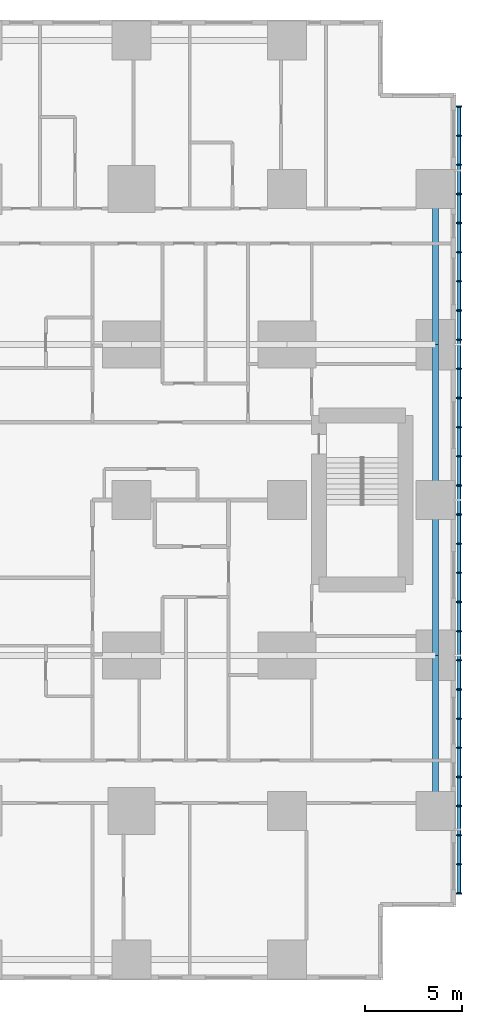
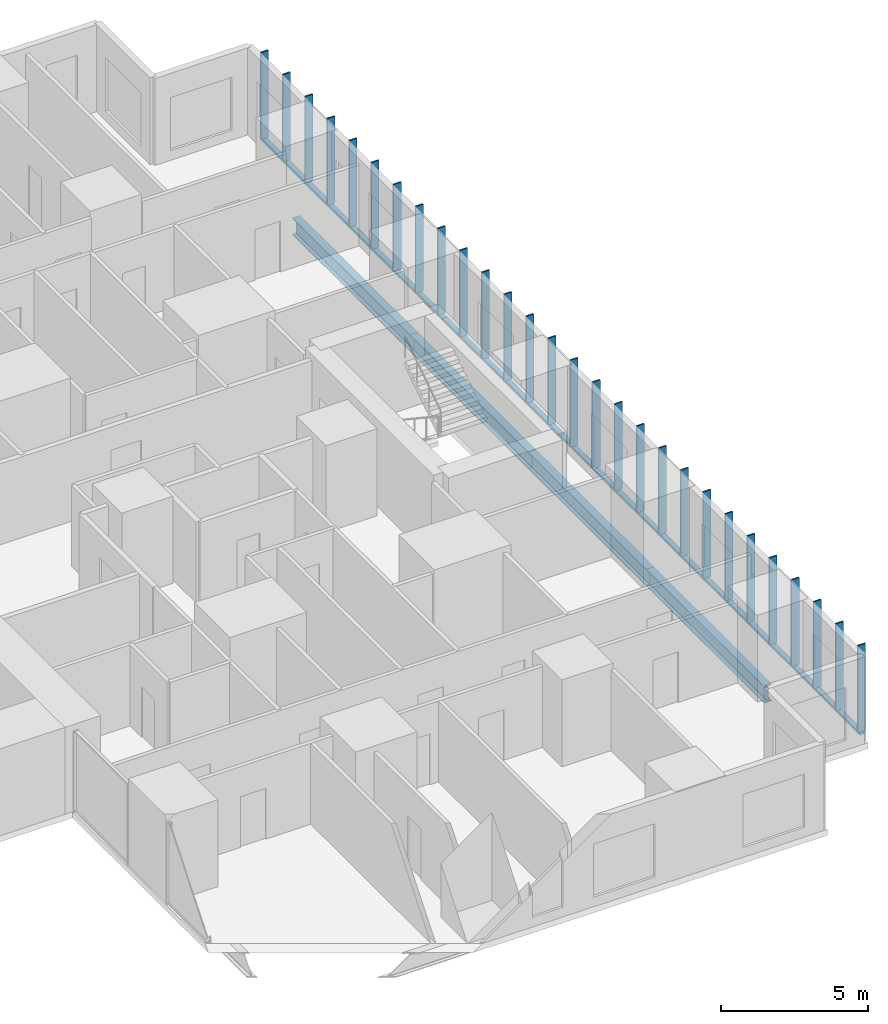
# One storey, part 6 of 20: 32 members, 4 beams.
"""IFC4 building model written with IfcOpenShell, lengths in metres."""

from ifc_helpers import new_model, si_unit, direction, frame, origin, origin_2d, place, context, subcontext, project, spatial, rectangle, hollow_rectangle, i_section, extrude, material, material_profile, profile_set, type_object, element, save


model = new_model("IFC4")

# Units and contexts
model_context = context("Model", 3, precision=1e-05, world=origin(), true_north=direction((0.0, 1.0)))
body_context = subcontext(model_context, "Body", "Model", "MODEL_VIEW")
ifc_project = project(units=[si_unit("LENGTHUNIT", "METRE"), si_unit("AREAUNIT", "SQUARE_METRE"), si_unit("VOLUMEUNIT", "CUBIC_METRE"), si_unit("PLANEANGLEUNIT", "RADIAN"), si_unit("MASSUNIT", "GRAM", prefix="KILO")], contexts=[model_context])

# Site, building, storey
site_placement = place(None, origin())
site = spatial("IfcSite", under=ifc_project, at=site_placement, CompositionType="ELEMENT")
building_placement = place(site_placement, origin())
building = spatial("IfcBuilding", under=site, at=building_placement, Name="Cleftline Residences", CompositionType="ELEMENT")
storey_placement = place(building_placement, frame((0.0, 0.0, 150.199951171875)))
storey = spatial("IfcBuildingStorey", under=building, at=storey_placement, Name="L39", CompositionType="ELEMENT", Elevation=150.199951171875)

# Members
ifc_material_1 = material(Name="Steel S355, hot-dip galvanised", Category="steel")
ifc_material_profile_1 = material_profile(ifc_material_1, hollow_rectangle(XDim=0.10009765625, YDim=0.199951171875, WallThickness=0.008056640625, InnerFilletRadius=0.008056640625, OuterFilletRadius=0.011962890625, at=origin_2d()))
ifc_profile_set_1 = profile_set([ifc_material_profile_1], Name="Steel S355, hot-dip galvanised")
member_type_1 = type_object("IfcMemberType", Name="BAGUETTE CARRIER RHS 200X100X8", PredefinedType="USERDEFINED", material=ifc_profile_set_1)
member_1_placement = place(storey_placement, frame((66.85009765625, 3.699951171875, -0.050048828125), z_axis=(0.0, 1.0, 0.0), x_axis=(0.0, 0.0, 1.0)))
element("IfcMember", 1, at=member_1_placement, inside=storey, type_object=member_type_1, Name="Baguette carrier", ObjectType="BAGUETTE CARRIER", PredefinedType="USERDEFINED", context=body_context, shape_type="SweptSolid", body=[
    extrude(hollow_rectangle(XDim=0.10009765625, YDim=0.199951171875, WallThickness=0.008056640625, InnerFilletRadius=0.008056640625, OuterFilletRadius=0.011962890625, at=origin_2d()), origin(), (0.0, 0.0, 1.0), 12.300048828125),
])
for number, where, z_axis, x_axis, name in (
    (2, (66.85009765625, 16.0, -0.050048828125), (0.0, 1.0, 0.0), (0.0, 0.0, 1.0), "Baguette carrier"),
    (3, (66.85009765625, 24.0, -0.050048828125), (0.0, 1.0, 0.0), (0.0, 0.0, 1.0), "Baguette carrier"),
):
    element("IfcMember", number, at=place(storey_placement, frame(where, z_axis=z_axis, x_axis=x_axis)), inside=storey, type_object=member_type_1, Name=name, ObjectType="BAGUETTE CARRIER", PredefinedType="USERDEFINED", context=body_context, shape_type="SweptSolid", body=[
        extrude(hollow_rectangle(XDim=0.10009765625, YDim=0.199951171875, WallThickness=0.008056640625, InnerFilletRadius=0.008056640625, OuterFilletRadius=0.011962890625, at=origin_2d()), origin(), (0.0, 0.0, 1.0), 8.0),
    ])
member_2_placement = place(storey_placement, frame((66.85009765625, 32.0, -0.050048828125), z_axis=(0.0, 1.0, 0.0), x_axis=(0.0, 0.0, 1.0)))
element("IfcMember", 4, at=member_2_placement, inside=storey, type_object=member_type_1, Name="Baguette carrier", ObjectType="BAGUETTE CARRIER", PredefinedType="USERDEFINED", context=body_context, shape_type="SweptSolid", body=[
    extrude(hollow_rectangle(XDim=0.10009765625, YDim=0.199951171875, WallThickness=0.008056640625, InnerFilletRadius=0.008056640625, OuterFilletRadius=0.011962890625, at=origin_2d()), origin(), (0.0, 0.0, 1.0), 12.300048828125),
])

# Beams
ifc_material_2 = material(Name="Steel S355", Category="steel")
ifc_material_profile_2 = material_profile(ifc_material_2, i_section(OverallWidth=0.300048828125, OverallDepth=0.699951171875, WebThickness=0.01708984375, FlangeThickness=0.031982421875, FilletRadius=0.027099609375, at=origin_2d()))
ifc_profile_set_2 = profile_set([ifc_material_profile_2], Name="Steel S355")
beam_type = type_object("IfcBeamType", Name="BEAM HEB 700", PredefinedType="BEAM", material=ifc_profile_set_2)
for number, where, z_axis, x_axis, name in (
    (5, (65.64990234375, 8.0, -0.599853515625), (0.0, 1.0, 0.0), (-1.0, 0.0, 0.0), "Edge beam"),
    (6, (65.64990234375, 16.0, -0.599853515625), (0.0, 1.0, 0.0), (-1.0, 0.0, 0.0), "Edge beam"),
    (7, (65.64990234375, 24.0, -0.599853515625), (0.0, 1.0, 0.0), (-1.0, 0.0, 0.0), "Edge beam"),
    (8, (65.64990234375, 32.0, -0.599853515625), (0.0, 1.0, 0.0), (-1.0, 0.0, 0.0), "Edge beam"),
):
    element("IfcBeam", number, at=place(storey_placement, frame(where, z_axis=z_axis, x_axis=x_axis)), inside=storey, type_object=beam_type, Name=name, PredefinedType="BEAM", context=body_context, shape_type="SweptSolid", body=[
        extrude(i_section(OverallWidth=0.300048828125, OverallDepth=0.699951171875, WebThickness=0.01708984375, FlangeThickness=0.031982421875, FilletRadius=0.027099609375, at=origin_2d()), origin(), (0.0, 0.0, 1.0), 8.0),
    ])

# Members
ifc_material_3 = material(Name="Extruded terracotta", Category="masonry")
ifc_material_profile_3 = material_profile(ifc_material_3, rectangle(XDim=0.06005859375, YDim=0.300048828125, at=origin_2d()))
ifc_profile_set_3 = profile_set([ifc_material_profile_3], Name="Extruded terracotta")
member_type_2 = type_object("IfcMemberType", Name="TERRACOTTA BAGUETTE 60X300", PredefinedType="USERDEFINED", material=ifc_profile_set_3)
for number, where, z_axis, x_axis, name in (
    (9, (66.85009765625, 3.75, 0.0), (0.0, 0.0, 1.0), (0.0, 1.0, 0.0), "Terracotta baguette"),
    (10, (66.85009765625, 5.25, 0.0), (0.0, 0.0, 1.0), (0.0, 1.0, 0.0), "Terracotta baguette"),
    (11, (66.85009765625, 6.75, 0.0), (0.0, 0.0, 1.0), (0.0, 1.0, 0.0), "Terracotta baguette"),
    (12, (66.85009765625, 8.25, 0.0), (0.0, 0.0, 1.0), (0.0, 1.0, 0.0), "Terracotta baguette"),
    (13, (66.85009765625, 9.75, 0.0), (0.0, 0.0, 1.0), (0.0, 1.0, 0.0), "Terracotta baguette"),
    (14, (66.85009765625, 11.25, 0.0), (0.0, 0.0, 1.0), (0.0, 1.0, 0.0), "Terracotta baguette"),
    (15, (66.85009765625, 12.75, 0.0), (0.0, 0.0, 1.0), (0.0, 1.0, 0.0), "Terracotta baguette"),
    (16, (66.85009765625, 14.25, 0.0), (0.0, 0.0, 1.0), (0.0, 1.0, 0.0), "Terracotta baguette"),
    (17, (66.85009765625, 15.75, 0.0), (0.0, 0.0, 1.0), (0.0, 1.0, 0.0), "Terracotta baguette"),
    (18, (66.85009765625, 17.25, 0.0), (0.0, 0.0, 1.0), (0.0, 1.0, 0.0), "Terracotta baguette"),
    (19, (66.85009765625, 18.75, 0.0), (0.0, 0.0, 1.0), (0.0, 1.0, 0.0), "Terracotta baguette"),
    (20, (66.85009765625, 20.25, 0.0), (0.0, 0.0, 1.0), (0.0, 1.0, 0.0), "Terracotta baguette"),
    (21, (66.85009765625, 21.75, 0.0), (0.0, 0.0, 1.0), (0.0, 1.0, 0.0), "Terracotta baguette"),
    (22, (66.85009765625, 23.25, 0.0), (0.0, 0.0, 1.0), (0.0, 1.0, 0.0), "Terracotta baguette"),
    (23, (66.85009765625, 24.75, 0.0), (0.0, 0.0, 1.0), (0.0, 1.0, 0.0), "Terracotta baguette"),
    (24, (66.85009765625, 26.25, 0.0), (0.0, 0.0, 1.0), (0.0, 1.0, 0.0), "Terracotta baguette"),
    (25, (66.85009765625, 27.75, 0.0), (0.0, 0.0, 1.0), (0.0, 1.0, 0.0), "Terracotta baguette"),
    (26, (66.85009765625, 29.25, 0.0), (0.0, 0.0, 1.0), (0.0, 1.0, 0.0), "Terracotta baguette"),
    (27, (66.85009765625, 30.75, 0.0), (0.0, 0.0, 1.0), (0.0, 1.0, 0.0), "Terracotta baguette"),
    (28, (66.85009765625, 32.25, 0.0), (0.0, 0.0, 1.0), (0.0, 1.0, 0.0), "Terracotta baguette"),
    (29, (66.85009765625, 33.75, 0.0), (0.0, 0.0, 1.0), (0.0, 1.0, 0.0), "Terracotta baguette"),
    (30, (66.85009765625, 35.25, 0.0), (0.0, 0.0, 1.0), (0.0, 1.0, 0.0), "Terracotta baguette"),
    (31, (66.85009765625, 36.75, 0.0), (0.0, 0.0, 1.0), (0.0, 1.0, 0.0), "Terracotta baguette"),
    (32, (66.85009765625, 38.25, 0.0), (0.0, 0.0, 1.0), (0.0, 1.0, 0.0), "Terracotta baguette"),
    (33, (66.85009765625, 39.75, 0.0), (0.0, 0.0, 1.0), (0.0, 1.0, 0.0), "Terracotta baguette"),
    (34, (66.85009765625, 41.25, 0.0), (0.0, 0.0, 1.0), (0.0, 1.0, 0.0), "Terracotta baguette"),
    (35, (66.85009765625, 42.75, 0.0), (0.0, 0.0, 1.0), (0.0, 1.0, 0.0), "Terracotta baguette"),
    (36, (66.85009765625, 44.25, 0.0), (0.0, 0.0, 1.0), (0.0, 1.0, 0.0), "Terracotta baguette"),
):
    element("IfcMember", number, at=place(storey_placement, frame(where, z_axis=z_axis, x_axis=x_axis)), inside=storey, type_object=member_type_2, Name=name, ObjectType="BAGUETTE", PredefinedType="USERDEFINED", context=body_context, shape_type="SweptSolid", body=[
        extrude(rectangle(XDim=0.06005859375, YDim=0.300048828125, at=origin_2d()), origin(), (0.0, 0.0, 1.0), 3.60009765625),
    ])

save(model, "model.ifc")
